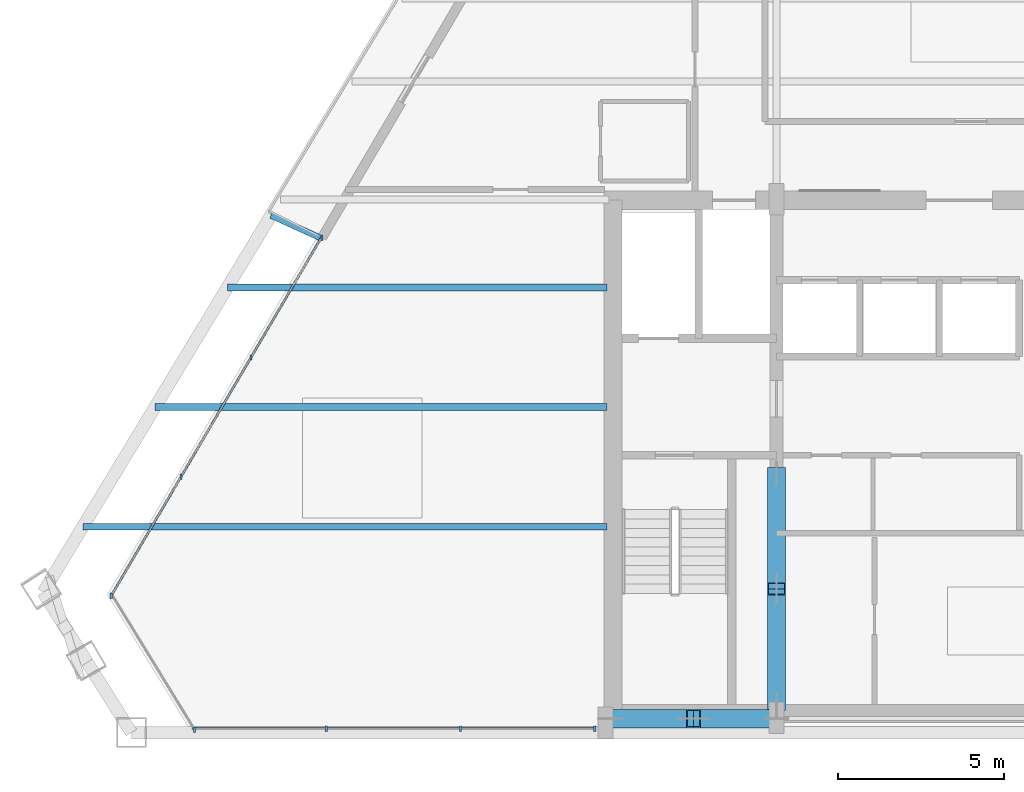
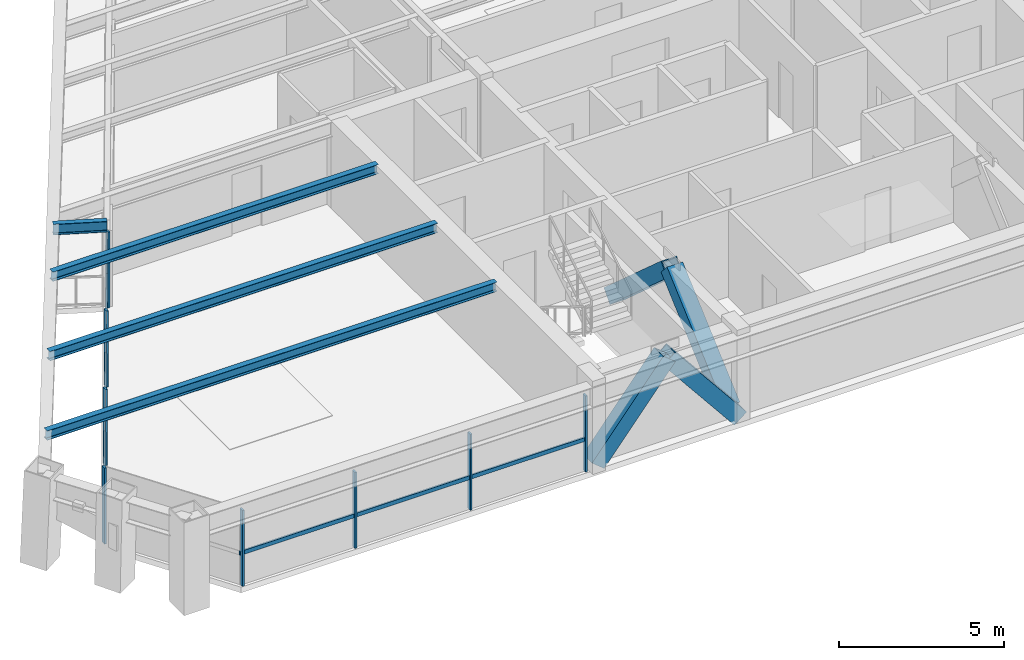
# One storey, part 2 of 13: 18 members, 4 beams, 3 elements without a shape of their own.
"""IFC4 building model written with IfcOpenShell, lengths in metres."""

from ifc_helpers import new_model, si_unit, direction, frame, origin, origin_2d, place, context, subcontext, project, spatial, rectangle, hollow_rectangle, i_section, extrude, source, transform, mapped, material, material_profile, profile_set, type_object, element, aggregate, save


model = new_model("IFC4")

# Units and contexts
model_context = context("Model", 3, precision=1e-05, world=origin(), true_north=direction((0.0, 1.0)))
body_context = subcontext(model_context, "Body", "Model", "MODEL_VIEW")
ifc_project = project(units=[si_unit("LENGTHUNIT", "METRE"), si_unit("AREAUNIT", "SQUARE_METRE"), si_unit("VOLUMEUNIT", "CUBIC_METRE"), si_unit("PLANEANGLEUNIT", "RADIAN"), si_unit("MASSUNIT", "GRAM", prefix="KILO")], contexts=[model_context])

# Site, building, storey
site_placement = place(None, origin())
site = spatial("IfcSite", under=ifc_project, at=site_placement, CompositionType="ELEMENT")
building_placement = place(site_placement, origin())
building = spatial("IfcBuilding", under=site, at=building_placement, Name="Varnakhor Terracotta Tower", CompositionType="ELEMENT")
storey_placement = place(building_placement, frame((0.0, 0.0, 247.60009765625)))
storey = spatial("IfcBuildingStorey", under=building, at=storey_placement, Name="L64", CompositionType="ELEMENT", Elevation=247.60009765625)

# Members
ifc_material_1 = material(Name="Steel S355", Category="steel")
ifc_material_profile_1 = material_profile(ifc_material_1, hollow_rectangle(XDim=0.550048828125, YDim=0.550048828125, WallThickness=0.034912109375, at=origin_2d()), Name="HSS550X550X35")
ifc_profile_set_1 = profile_set([ifc_material_profile_1], Name="Steel S355")
member_type_1 = type_object("IfcMemberType", Name="MBR-MEGA-550", PredefinedType="BRACE", material=ifc_profile_set_1)
shared_shape_1 = source(origin(), body_context, "Body", "SweptSolid", [
    extrude(hollow_rectangle(XDim=0.550048828125, YDim=0.550048828125, WallThickness=0.034912109375, at=origin_2d()), origin(), (0.0, 0.0, 1.0), 4.650146484375),
])
member_1_placement = place(storey_placement, frame((-5.5, 7.800048828125, 0.0), z_axis=(0.0, -0.747316617832, 0.664468112638), x_axis=(1.0, 0.0, 0.0)))
element("IfcMember", 1, at=member_1_placement, inside=storey, type_object=member_type_1, Name="L64 Core Coupled Brace CWWB", PredefinedType="BRACE", context=body_context, shape_type="MappedRepresentation", body=[
    mapped(shared_shape_1, transform((0.0, 0.0, 0.0), scale=1.0)),
])
shared_shape_2 = source(origin(), body_context, "Body", "SweptSolid", [
    extrude(hollow_rectangle(XDim=0.550048828125, YDim=0.550048828125, WallThickness=0.034912109375, at=origin_2d()), origin(), (0.0, 0.0, 1.0), 3.974609375),
])
for number, where, z_axis, x_axis, name in (
    (2, (-10.5, 0.419921875, 0.0), (0.629000299358, 0.0, 0.777405057488), (0.0, 1.0, 0.0), "L64 Core Coupled Brace CSWA"),
    (3, (-5.5, 0.419921875, 0.0), (-0.629000299358, 0.0, 0.777405057488), (0.0, -1.0, 0.0), "L64 Core Coupled Brace CSWB"),
):
    element("IfcMember", number, at=place(storey_placement, frame(where, z_axis=z_axis, x_axis=x_axis)), inside=storey, type_object=member_type_1, Name=name, PredefinedType="BRACE", context=body_context, shape_type="MappedRepresentation", body=[
        mapped(shared_shape_2, transform((0.0, 0.0, 0.0), scale=1.0)),
    ])
shared_shape_3 = source(origin(), body_context, "Body", "SweptSolid", [
    extrude(hollow_rectangle(XDim=0.550048828125, YDim=0.550048828125, WallThickness=0.034912109375, at=origin_2d()), origin(), (0.0, 0.0, 1.0), 4.64990234375),
])
member_2_placement = place(storey_placement, frame((-5.5, 0.85009765625, 0.0), z_axis=(0.0, 0.747293435799, 0.664494184182), x_axis=(-1.0, 0.0, 0.0)))
element("IfcMember", 4, at=member_2_placement, inside=storey, type_object=member_type_1, Name="L64 Core Coupled Brace CWWA", PredefinedType="BRACE", context=body_context, shape_type="MappedRepresentation", body=[
    mapped(shared_shape_3, transform((0.0, 0.0, 0.0), scale=1.0)),
])

# Beams
ifc_material_profile_2 = material_profile(ifc_material_1, i_section(OverallWidth=0.202880859375, OverallDepth=0.346923828125, WebThickness=0.0078125, FlangeThickness=0.013427734375, FilletRadius=0.01806640625, at=origin_2d()), Name="W14X43")
ifc_profile_set_2 = profile_set([ifc_material_profile_2], Name="Steel S355")
beam_type_1 = type_object("IfcBeamType", Name="JST-W14X43", PredefinedType="JOIST", material=ifc_profile_set_2)
shared_shape_4 = source(origin(), body_context, "Body", "SweptSolid", [
    extrude(i_section(OverallWidth=0.202880859375, OverallDepth=0.346923828125, WebThickness=0.0078125, FlangeThickness=0.013427734375, FilletRadius=0.01806640625, at=origin_2d()), origin(), (0.0, 0.0, 1.0), 15.782470703125),
])
beam_1_placement = place(storey_placement, frame((-26.382568359375, 6.199951171875, 3.06640625), z_axis=(1.0, 0.0, 0.0), x_axis=(0.0, 1.0, 0.0)))
element("IfcBeam", 5, at=beam_1_placement, inside=storey, type_object=beam_type_1, Name="L64 Floor Joist W1", PredefinedType="JOIST", context=body_context, shape_type="MappedRepresentation", body=[
    mapped(shared_shape_4, transform((0.0, 0.0, 0.0), scale=1.0)),
])
shared_shape_5 = source(origin(), body_context, "Body", "SweptSolid", [
    extrude(i_section(OverallWidth=0.202880859375, OverallDepth=0.346923828125, WebThickness=0.0078125, FlangeThickness=0.013427734375, FilletRadius=0.01806640625, at=origin_2d()), origin(), (0.0, 0.0, 1.0), 13.606689453125),
])
beam_2_placement = place(storey_placement, frame((-24.206787109375, 9.800048828125, 3.06640625), z_axis=(1.0, 0.0, 0.0), x_axis=(0.0, 1.0, 0.0)))
element("IfcBeam", 6, at=beam_2_placement, inside=storey, type_object=beam_type_1, Name="L64 Floor Joist W2", PredefinedType="JOIST", context=body_context, shape_type="MappedRepresentation", body=[
    mapped(shared_shape_5, transform((0.0, 0.0, 0.0), scale=1.0)),
])
shared_shape_6 = source(origin(), body_context, "Body", "SweptSolid", [
    extrude(i_section(OverallWidth=0.202880859375, OverallDepth=0.346923828125, WebThickness=0.0078125, FlangeThickness=0.013427734375, FilletRadius=0.01806640625, at=origin_2d()), origin(), (0.0, 0.0, 1.0), 11.430908203125),
])
beam_3_placement = place(storey_placement, frame((-22.031005859375, 13.39990234375, 3.06640625), z_axis=(1.0, 0.0, 0.0), x_axis=(0.0, 1.0, 0.0)))
element("IfcBeam", 7, at=beam_3_placement, inside=storey, type_object=beam_type_1, Name="L64 Floor Joist W3", PredefinedType="JOIST", context=body_context, shape_type="MappedRepresentation", body=[
    mapped(shared_shape_6, transform((0.0, 0.0, 0.0), scale=1.0)),
])

# Curtain wall, members
ifc_material_2 = material(Name="Anodised Aluminium Curtain Wall System", Category="aluminium")
curtain_wall_type = type_object("IfcCurtainWallType", Name="CW-SYS-HOTEL-LOGGIA", PredefinedType="NOTDEFINED", material=ifc_material_2)
curtain_wall_1_placement = place(storey_placement, origin())
curtain_wall_1 = element("IfcCurtainWall", 8, at=curtain_wall_1_placement, inside=storey, type_object=curtain_wall_type, Name="L64 W Facet Curtain Wall 1", PredefinedType="NOTDEFINED")
ifc_material_3 = material(Name="Anodised Aluminium 6063-T6", Category="aluminium")
ifc_material_profile_3 = material_profile(ifc_material_3, rectangle(XDim=0.06494140625, YDim=0.159912109375, at=origin_2d()), Name="ALU MULLION 65x160")
ifc_profile_set_3 = profile_set([ifc_material_profile_3], Name="Anodised Aluminium 6063-T6")
member_type_2 = type_object("IfcMemberType", Name="CWM-04", PredefinedType="MULLION", material=ifc_profile_set_3)
shared_shape_7 = source(origin(), body_context, "Body", "SweptSolid", [
    extrude(rectangle(XDim=0.06494140625, YDim=0.159912109375, at=origin_2d()), origin(), (0.0, 0.0, 1.0), 2.81982421875),
])
member_3_placement = place(storey_placement, frame((-25.528564453125, 4.116455078125, 0.0), z_axis=(0.0, 0.0, 1.0), x_axis=(1.0, 0.0, 0.0)))
member_3 = element("IfcMember", 9, at=member_3_placement, type_object=member_type_2, Name="L64 W Facet Curtain Wall 1 Mullion 1", PredefinedType="MULLION", context=body_context, shape_type="MappedRepresentation", body=[
    mapped(shared_shape_7, transform((0.0, 0.0, 0.0), scale=1.0)),
])
member_4_placement = place(storey_placement, frame((-23.424560546875, 7.7041015625, 0.0), z_axis=(0.0, 0.0, 1.0), x_axis=(1.0, 0.0, 0.0)))
member_4 = element("IfcMember", 10, at=member_4_placement, type_object=member_type_2, Name="L64 W Facet Curtain Wall 1 Mullion 2", PredefinedType="MULLION", context=body_context, shape_type="MappedRepresentation", body=[
    mapped(shared_shape_7, transform((0.0, 0.0, 0.0), scale=1.0)),
])
member_5_placement = place(storey_placement, frame((-21.32080078125, 11.29150390625, 0.0), z_axis=(0.0, 0.0, 1.0), x_axis=(1.0, 0.0, 0.0)))
member_5 = element("IfcMember", 11, at=member_5_placement, type_object=member_type_2, Name="L64 W Facet Curtain Wall 1 Mullion 3", PredefinedType="MULLION", context=body_context, shape_type="MappedRepresentation", body=[
    mapped(shared_shape_7, transform((0.0, 0.0, 0.0), scale=1.0)),
])
member_6_placement = place(storey_placement, frame((-19.184326171875, 14.89501953125, 0.0), z_axis=(0.0, 0.0, 1.0), x_axis=(1.0, 0.0, 0.0)))
member_6 = element("IfcMember", 12, at=member_6_placement, type_object=member_type_2, Name="L64 W Loggia Jamb Closure Mullion 1", PredefinedType="MULLION", context=body_context, shape_type="MappedRepresentation", body=[
    mapped(shared_shape_7, transform((0.0, 0.0, 0.0), scale=1.0)),
])

curtain_wall_2_placement = place(storey_placement, origin())
curtain_wall_2 = element("IfcCurtainWall", 13, at=curtain_wall_2_placement, inside=storey, type_object=curtain_wall_type, Name="L64 South Wing Curtain Wall SSW", PredefinedType="NOTDEFINED")
member_7_placement = place(storey_placement, frame((-10.969970703125, 0.1201171875, 0.0), z_axis=(0.0, 0.0, 1.0), x_axis=(1.0, 0.0, 0.0)))
member_7 = element("IfcMember", 14, at=member_7_placement, type_object=member_type_2, Name="L64 South Wing Curtain Wall SSW Mullion 1", PredefinedType="MULLION", context=body_context, shape_type="MappedRepresentation", body=[
    mapped(shared_shape_7, transform((0.0, 0.0, 0.0), scale=1.0)),
])
member_8_placement = place(storey_placement, frame((-15.011474609375, 0.1201171875, 0.0), z_axis=(0.0, 0.0, 1.0), x_axis=(1.0, 0.0, 0.0)))
member_8 = element("IfcMember", 15, at=member_8_placement, type_object=member_type_2, Name="L64 South Wing Curtain Wall SSW Mullion 2", PredefinedType="MULLION", context=body_context, shape_type="MappedRepresentation", body=[
    mapped(shared_shape_7, transform((0.0, 0.0, 0.0), scale=1.0)),
])
member_9_placement = place(storey_placement, frame((-19.052978515625, 0.1201171875, 0.0), z_axis=(0.0, 0.0, 1.0), x_axis=(1.0, 0.0, 0.0)))
member_9 = element("IfcMember", 16, at=member_9_placement, type_object=member_type_2, Name="L64 South Wing Curtain Wall SSW Mullion 3", PredefinedType="MULLION", context=body_context, shape_type="MappedRepresentation", body=[
    mapped(shared_shape_7, transform((0.0, 0.0, 0.0), scale=1.0)),
])

# Curtain wall, member
curtain_wall_3_placement = place(storey_placement, origin())
curtain_wall_3 = element("IfcCurtainWall", 17, at=curtain_wall_3_placement, inside=storey, type_object=curtain_wall_type, Name="L64 Facet Curtain Wall 6", PredefinedType="NOTDEFINED")
member_10_placement = place(storey_placement, frame((-23.017822265625, 0.08837890625, 0.0), z_axis=(0.0, 0.0, 1.0), x_axis=(1.0, 0.0, 0.0)))
member_10 = element("IfcMember", 18, at=member_10_placement, type_object=member_type_2, Name="L64 Facet Curtain Wall 6 Mullion 1", PredefinedType="MULLION", context=body_context, shape_type="MappedRepresentation", body=[
    mapped(shared_shape_7, transform((0.0, 0.0, 0.0), scale=1.0)),
])
aggregate(curtain_wall_3, [member_10])

# Member
ifc_material_profile_4 = material_profile(ifc_material_3, rectangle(XDim=0.06494140625, YDim=0.14501953125, at=origin_2d()), Name="ALU TRANSOM 65x145")
ifc_profile_set_4 = profile_set([ifc_material_profile_4], Name="Anodised Aluminium 6063-T6")
member_type_3 = type_object("IfcMemberType", Name="CWT-04", PredefinedType="USERDEFINED", material=ifc_profile_set_4)
shared_shape_8 = source(origin(), body_context, "Body", "SweptSolid", [
    extrude(rectangle(XDim=0.06494140625, YDim=0.14501953125, at=origin_2d()), origin(), (0.0, 0.0, 1.0), 4.04150390625),
])
member_11_placement = place(storey_placement, frame((-10.969970703125, 0.1201171875, 1.184326171875), z_axis=(-1.0, 0.0, 0.0), x_axis=(0.0, -1.0, 0.0)))
member_11 = element("IfcMember", 19, at=member_11_placement, type_object=member_type_3, Name="L64 South Wing Curtain Wall SSW Transom 1", ObjectType="TRANSOM", PredefinedType="USERDEFINED", context=body_context, shape_type="MappedRepresentation", body=[
    mapped(shared_shape_8, transform((0.0, 0.0, 0.0), scale=1.0)),
])

member_12_placement = place(storey_placement, frame((-15.011474609375, 0.1201171875, 1.184326171875), z_axis=(-1.0, 0.0, 0.0), x_axis=(0.0, -1.0, 0.0)))
member_12 = element("IfcMember", 20, at=member_12_placement, type_object=member_type_3, Name="L64 South Wing Curtain Wall SSW Transom 2", ObjectType="TRANSOM", PredefinedType="USERDEFINED", context=body_context, shape_type="MappedRepresentation", body=[
    mapped(shared_shape_8, transform((0.0, 0.0, 0.0), scale=1.0)),
])

member_13_placement = place(storey_placement, frame((-19.052978515625, 0.1201171875, 1.184326171875), z_axis=(-1.0, 0.0, 0.0), x_axis=(0.0, -1.0, 0.0)))
member_13 = element("IfcMember", 21, at=member_13_placement, type_object=member_type_3, Name="L64 South Wing Curtain Wall SSW Transom 3", ObjectType="TRANSOM", PredefinedType="USERDEFINED", context=body_context, shape_type="MappedRepresentation", body=[
    mapped(shared_shape_8, transform((0.0, 0.0, 0.0), scale=1.0)),
])

aggregate(curtain_wall_2, [member_7, member_11, member_8, member_12, member_9, member_13])

shared_shape_9 = source(origin(), body_context, "Body", "SweptSolid", [
    extrude(rectangle(XDim=0.06494140625, YDim=0.14501953125, at=origin_2d()), origin(), (0.0, 0.0, 1.0), 4.15869140625),
])
member_14_placement = place(storey_placement, frame((-23.424560546875, 7.7041015625, 1.184326171875), z_axis=(0.505862619122, 0.86261405656, 0.0), x_axis=(-0.86261405656, 0.505862619122, 0.0)))
member_14 = element("IfcMember", 22, at=member_14_placement, type_object=member_type_3, Name="L64 W Facet Curtain Wall 1 Transom 2", ObjectType="TRANSOM", PredefinedType="USERDEFINED", context=body_context, shape_type="MappedRepresentation", body=[
    mapped(shared_shape_9, transform((0.0, 0.0, 0.0), scale=1.0)),
])

shared_shape_10 = source(origin(), body_context, "Body", "SweptSolid", [
    extrude(rectangle(XDim=0.06494140625, YDim=0.14501953125, at=origin_2d()), origin(), (0.0, 0.0, 1.0), 4.1591796875),
])
member_15_placement = place(storey_placement, frame((-25.528564453125, 4.116455078125, 1.184326171875), z_axis=(0.505880683425, 0.86260346286, 0.0), x_axis=(-0.86260346286, 0.505880683425, 0.0)))
member_15 = element("IfcMember", 23, at=member_15_placement, type_object=member_type_3, Name="L64 W Facet Curtain Wall 1 Transom 1", ObjectType="TRANSOM", PredefinedType="USERDEFINED", context=body_context, shape_type="MappedRepresentation", body=[
    mapped(shared_shape_10, transform((0.0, 0.0, 0.0), scale=1.0)),
])

member_16_placement = place(storey_placement, frame((-21.32080078125, 11.29150390625, 1.184326171875), z_axis=(0.505880683425, 0.86260346286, 0.0), x_axis=(-0.86260346286, 0.505880683425, 0.0)))
member_16 = element("IfcMember", 24, at=member_16_placement, type_object=member_type_3, Name="L64 W Facet Curtain Wall 1 Transom 3", ObjectType="TRANSOM", PredefinedType="USERDEFINED", context=body_context, shape_type="MappedRepresentation", body=[
    mapped(shared_shape_10, transform((0.0, 0.0, 0.0), scale=1.0)),
])

aggregate(curtain_wall_1, [member_3, member_15, member_4, member_14, member_5, member_16, member_6])

# Beam
ifc_material_profile_5 = material_profile(ifc_material_1, i_section(OverallWidth=0.179931640625, OverallDepth=0.39990234375, WebThickness=0.008544921875, FlangeThickness=0.013427734375, FilletRadius=0.01806640625, at=origin_2d()), Name="IPE400")
ifc_profile_set_5 = profile_set([ifc_material_profile_5], Name="Steel S355")
beam_type_2 = type_object("IfcBeamType", Name="JST-IPE400", PredefinedType="JOIST", material=ifc_profile_set_5)
shared_shape_11 = source(origin(), body_context, "Body", "SweptSolid", [
    extrude(i_section(OverallWidth=0.179931640625, OverallDepth=0.39990234375, WebThickness=0.008544921875, FlangeThickness=0.013427734375, FilletRadius=0.01806640625, at=origin_2d()), origin(), (0.0, 0.0, 1.0), 1.64794921875),
])
beam_4_placement = place(storey_placement, frame((-19.22021484375, 14.88525390625, 3.039794921875), z_axis=(-0.909578475077, 0.41553218609, 0.0), x_axis=(-0.41553218609, -0.909578475077, 0.0)))
element("IfcBeam", 25, at=beam_4_placement, inside=storey, type_object=beam_type_2, Name="L65 W Loggia Tie Beam 1", PredefinedType="JOIST", context=body_context, shape_type="MappedRepresentation", body=[
    mapped(shared_shape_11, transform((0.0, 0.0, 0.0), scale=1.0)),
])

save(model, "model.ifc")
